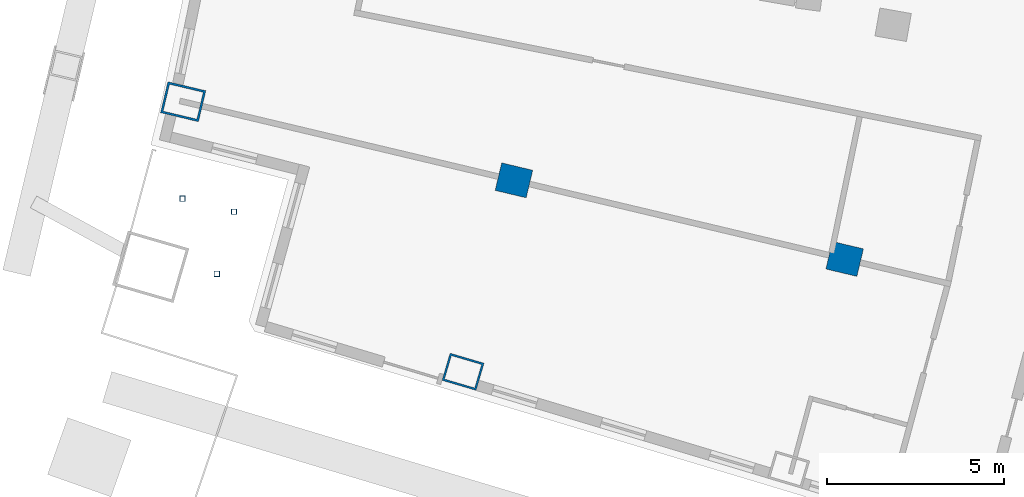
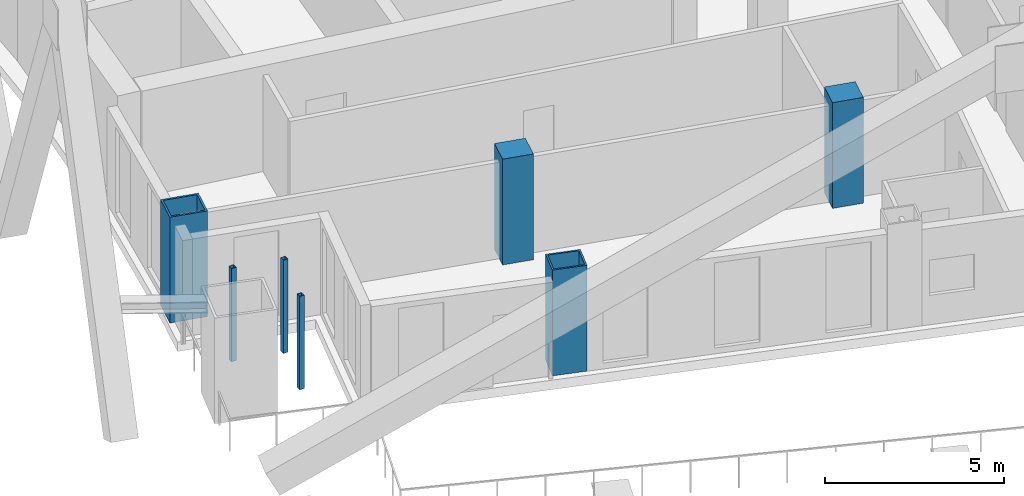
# One storey, part 2 of 20: 7 columns.
"""IFC4 building model written with IfcOpenShell, lengths in metres."""

from ifc_helpers import new_model, si_unit, direction, frame, origin, origin_2d, place, context, subcontext, project, spatial, rectangle, hollow_rectangle, extrude, material, material_profile, profile_set, type_object, element, save


model = new_model("IFC4")

# Units and contexts
model_context = context("Model", 3, precision=1e-05, world=origin(), true_north=direction((0.0, 1.0)))
body_context = subcontext(model_context, "Body", "Model", "MODEL_VIEW")
ifc_project = project(units=[si_unit("LENGTHUNIT", "METRE"), si_unit("AREAUNIT", "SQUARE_METRE"), si_unit("VOLUMEUNIT", "CUBIC_METRE"), si_unit("PLANEANGLEUNIT", "RADIAN"), si_unit("MASSUNIT", "GRAM", prefix="KILO")], contexts=[model_context])

# Site, building, storey
site_placement = place(None, origin())
site = spatial("IfcSite", under=ifc_project, at=site_placement, CompositionType="ELEMENT")
building_placement = place(site_placement, origin())
building = spatial("IfcBuilding", under=site, at=building_placement, Name="Alderwake Tower", CompositionType="ELEMENT")
storey_placement = place(building_placement, frame((0.0, 0.0, 138.800048828125)))
storey = spatial("IfcBuildingStorey", under=building, at=storey_placement, Name="L33", CompositionType="ELEMENT", Elevation=138.800048828125)

# Columns
ifc_material_1 = material(Name="Steel ASTM A572 Grade 50 concrete filled C70/85", Category="concrete")
ifc_material_profile_1 = material_profile(ifc_material_1, hollow_rectangle(XDim=0.800048828125, YDim=1.0, WallThickness=0.054931640625, at=origin_2d()), Name="BOX 1000X800X55")
ifc_profile_set_1 = profile_set([ifc_material_profile_1], Name="Steel ASTM A572 Grade 50 concrete filled C70/85")
column_type_1 = type_object("IfcColumnType", Name="End column Z3", PredefinedType="COLUMN", material=ifc_profile_set_1)
column_1_placement = place(storey_placement, frame((21.885498046875, 31.03759765625, 0.0), z_axis=(0.0, 0.0, 1.0), x_axis=(0.282132160283, 0.95937554906, 0.0)))
element("IfcColumn", 1, at=column_1_placement, inside=storey, type_object=column_type_1, Name="Column R02-C1", PredefinedType="COLUMN", context=body_context, shape_type="SweptSolid", body=[
    extrude(hollow_rectangle(XDim=0.800048828125, YDim=1.0, WallThickness=0.054931640625, at=origin_2d()), origin(), (0.0, 0.0, 1.0), 3.599853515625),
])
ifc_material_2 = material(Name="Concrete C70/85", Category="concrete")
ifc_material_profile_2 = material_profile(ifc_material_2, rectangle(XDim=0.800048828125, YDim=0.89990234375, at=origin_2d()), Name="RC 900X800")
ifc_profile_set_2 = profile_set([ifc_material_profile_2], Name="Concrete C70/85")
column_type_2 = type_object("IfcColumnType", Name="Interior column Z3", PredefinedType="COLUMN", material=ifc_profile_set_2)
for number, where, z_axis, x_axis, name in (
    (2, (23.322021484375, 36.444091796875, 0.0), (0.0, 0.0, 1.0), (0.231221547198, 0.972901123502, 0.0), "Column R03-C1"),
    (3, (32.661865234375, 34.224609375, 0.0), (0.0, 0.0, 1.0), (0.231221547198, 0.972901123502, 0.0), "Column R03-C2"),
):
    element("IfcColumn", number, at=place(storey_placement, frame(where, z_axis=z_axis, x_axis=x_axis)), inside=storey, type_object=column_type_2, Name=name, PredefinedType="COLUMN", context=body_context, shape_type="SweptSolid", body=[
        extrude(rectangle(XDim=0.800048828125, YDim=0.89990234375, at=origin_2d()), origin(), (0.0, 0.0, 1.0), 3.599853515625),
    ])
ifc_material_3 = material(Name="Steel ASTM A500 Grade C", Category="steel")
ifc_material_profile_3 = material_profile(ifc_material_3, hollow_rectangle(XDim=0.15234375, YDim=0.15234375, WallThickness=0.0087890625, at=origin_2d()), Name="HSS6X6X3/8")
ifc_profile_set_3 = profile_set([ifc_material_profile_3], Name="Steel ASTM A500 Grade C")
column_type_3 = type_object("IfcColumnType", Name="Light post HSS6X6X3/8", PredefinedType="COLUMN", material=ifc_profile_set_3)
for number, where, z_axis, x_axis, name in (
    (4, (13.962158203125, 35.926513671875, 0.0), (0.0, 0.0, 1.0), (1.0, 0.0, 0.0), "Terrace post RS1"),
    (5, (14.93115234375, 33.803955078125, 0.0), (0.0, 0.0, 1.0), (1.0, 0.0, 0.0), "Terrace post RS2"),
    (6, (15.41650390625, 35.558349609375, 0.0), (0.0, 0.0, 1.0), (1.0, 0.0, 0.0), "Terrace post RS3"),
):
    element("IfcColumn", number, at=place(storey_placement, frame(where, z_axis=z_axis, x_axis=x_axis)), inside=storey, type_object=column_type_3, Name=name, PredefinedType="COLUMN", context=body_context, shape_type="SweptSolid", body=[
        extrude(hollow_rectangle(XDim=0.15234375, YDim=0.15234375, WallThickness=0.0087890625, at=origin_2d()), origin(), (0.0, 0.0, 1.0), 3.179931640625),
    ])
ifc_material_4 = material(Name="Steel ASTM A572 Grade 50 concrete filled C70/85", Category="concrete")
ifc_material_profile_4 = material_profile(ifc_material_4, hollow_rectangle(XDim=0.89990234375, YDim=1.10009765625, WallThickness=0.06005859375, at=origin_2d()), Name="BOX 1100X900X60")
ifc_profile_set_4 = profile_set([ifc_material_profile_4], Name="Steel ASTM A572 Grade 50 concrete filled C70/85")
column_type_4 = type_object("IfcColumnType", Name="Perimeter column Z3", PredefinedType="COLUMN", material=ifc_profile_set_4)
column_2_placement = place(storey_placement, frame((13.982177734375, 38.6640625, 0.0), z_axis=(0.0, 0.0, 1.0), x_axis=(0.231221547198, 0.972901123502, 0.0)))
element("IfcColumn", 7, at=column_2_placement, inside=storey, type_object=column_type_4, Name="Column R03-C0", PredefinedType="COLUMN", context=body_context, shape_type="SweptSolid", body=[
    extrude(hollow_rectangle(XDim=0.89990234375, YDim=1.10009765625, WallThickness=0.06005859375, at=origin_2d()), origin(), (0.0, 0.0, 1.0), 3.599853515625),
])

save(model, "model.ifc")
